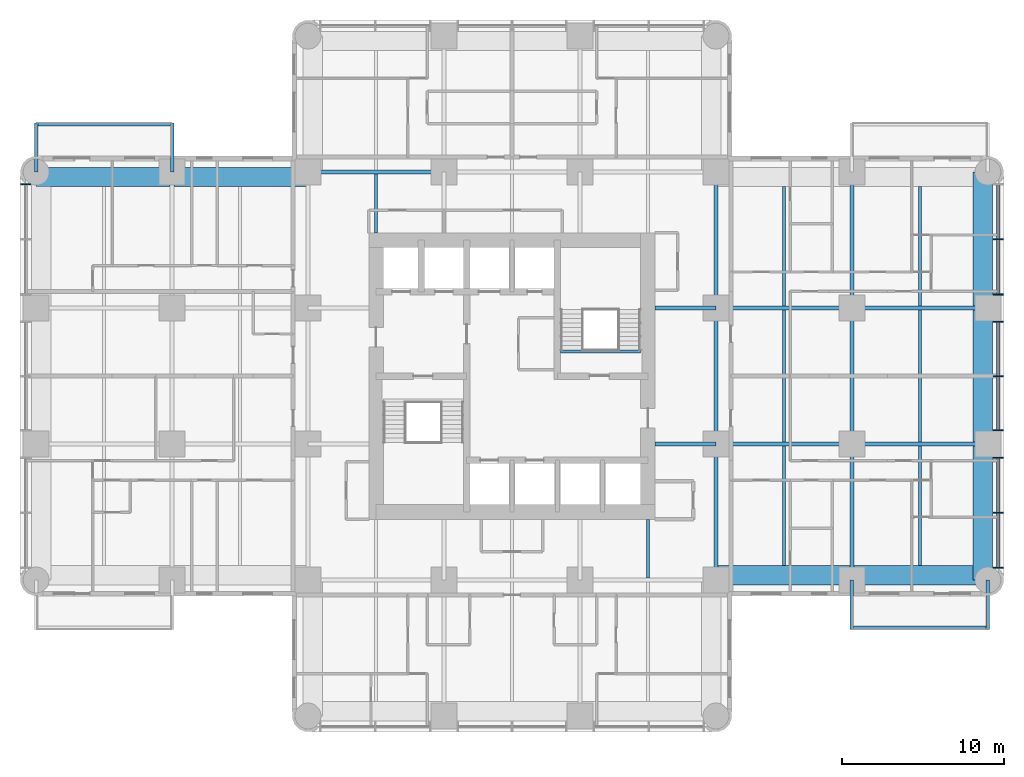
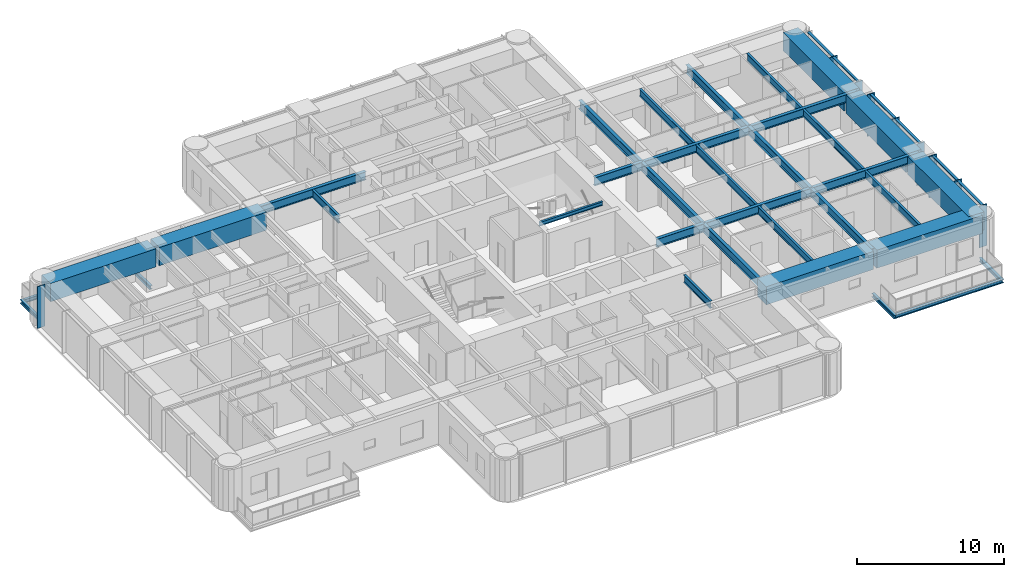
# One storey, part 3 of 15: 35 beams, 15 members, 2 elements without a shape of their own.
"""IFC4 building model written with IfcOpenShell, lengths in metres."""

from ifc_helpers import new_model, si_unit, direction, frame, origin, origin_2d, place, context, subcontext, project, spatial, rectangle, i_section, extrude, material, material_profile, profile_set, type_object, element, aggregate, save


model = new_model("IFC4")

# Units and contexts
model_context = context("Model", 3, precision=1e-05, world=origin(), true_north=direction((0.0, 1.0)))
body_context = subcontext(model_context, "Body", "Model", "MODEL_VIEW")
ifc_project = project(units=[si_unit("LENGTHUNIT", "METRE"), si_unit("AREAUNIT", "SQUARE_METRE"), si_unit("VOLUMEUNIT", "CUBIC_METRE"), si_unit("PLANEANGLEUNIT", "RADIAN"), si_unit("MASSUNIT", "GRAM", prefix="KILO")], contexts=[model_context])

# Site, building, storey
site_placement = place(None, origin())
site = spatial("IfcSite", under=ifc_project, at=site_placement, CompositionType="ELEMENT")
building_placement = place(site_placement, origin())
building = spatial("IfcBuilding", under=site, at=building_placement, Name="Torre Alcanfor", CompositionType="ELEMENT")
storey_placement = place(building_placement, frame((0.0, 0.0, 116.10009765625)))
storey = spatial("IfcBuildingStorey", under=building, at=storey_placement, Name="L29", CompositionType="ELEMENT", Elevation=116.10009765625)

# Beams
ifc_material_1 = material(Name="Steel ASTM A992 Grade 50", Category="steel")
ifc_material_profile_1 = material_profile(ifc_material_1, i_section(OverallWidth=0.205322265625, OverallDepth=0.309814453125, WebThickness=0.00927734375, FlangeThickness=0.016357421875, at=origin_2d()), Name="W12x50")
ifc_profile_set_1 = profile_set([ifc_material_profile_1], Name="Steel ASTM A992 Grade 50")
beam_type_1 = type_object("IfcBeamType", Name="Balcony cantilever beam W12x50", PredefinedType="BEAM", material=ifc_profile_set_1)
for number, where, z_axis, x_axis, name in (
    (1, (50.39990234375, 16.800048828125, -0.35498046875), (0.0, -1.0, 0.0), (1.0, 0.0, 0.0), "Balcony cantilever beam L29-E2 1"),
    (2, (58.800048828125, 16.800048828125, -0.35498046875), (0.0, -1.0, 0.0), (1.0, 0.0, 0.0), "Balcony cantilever beam L29-E2 2"),
    (3, (8.39990234375, 42.0, -0.35498046875), (0.0, 1.0, 0.0), (-1.0, 0.0, 0.0), "Balcony cantilever beam L29-W2 1"),
    (4, (0.0, 42.0, -0.35498046875), (0.0, 1.0, 0.0), (-1.0, 0.0, 0.0), "Balcony cantilever beam L29-W2 2"),
):
    element("IfcBeam", number, at=place(storey_placement, frame(where, z_axis=z_axis, x_axis=x_axis)), inside=storey, type_object=beam_type_1, Name=name, PredefinedType="BEAM", context=body_context, shape_type="SweptSolid", body=[
        extrude(i_section(OverallWidth=0.205322265625, OverallDepth=0.309814453125, WebThickness=0.00927734375, FlangeThickness=0.016357421875, at=origin_2d()), origin(), (0.0, 0.0, 1.0), 3.050048828125),
    ])
ifc_material_2 = material(Name="Steel ASTM A992 Grade 50", Category="steel")
ifc_material_profile_2 = material_profile(ifc_material_2, i_section(OverallWidth=0.203369140625, OverallDepth=0.30224609375, WebThickness=0.007568359375, FlangeThickness=0.01318359375, at=origin_2d()), Name="W12x40")
ifc_profile_set_2 = profile_set([ifc_material_profile_2], Name="Steel ASTM A992 Grade 50")
beam_type_2 = type_object("IfcBeamType", Name="Balcony edge trimmer W12x40", PredefinedType="BEAM", material=ifc_profile_set_2)
beam_1_placement = place(storey_placement, frame((50.39990234375, 13.851806640625, -0.351318359375), z_axis=(1.0, 0.0, 0.0), x_axis=(0.0, 1.0, 0.0)))
element("IfcBeam", 5, at=beam_1_placement, inside=storey, type_object=beam_type_2, Name="Balcony edge trimmer L29-E2", PredefinedType="BEAM", context=body_context, shape_type="SweptSolid", body=[
    extrude(i_section(OverallWidth=0.203369140625, OverallDepth=0.30224609375, WebThickness=0.007568359375, FlangeThickness=0.01318359375, at=origin_2d()), origin(), (0.0, 0.0, 1.0), 8.400146484375),
])
beam_2_placement = place(storey_placement, frame((8.39990234375, 44.9482421875, -0.351318359375), z_axis=(-1.0, 0.0, 0.0), x_axis=(0.0, -1.0, 0.0)))
element("IfcBeam", 6, at=beam_2_placement, inside=storey, type_object=beam_type_2, Name="Balcony edge trimmer L29-W2", PredefinedType="BEAM", context=body_context, shape_type="SweptSolid", body=[
    extrude(i_section(OverallWidth=0.203369140625, OverallDepth=0.30224609375, WebThickness=0.007568359375, FlangeThickness=0.01318359375, at=origin_2d()), origin(), (0.0, 0.0, 1.0), 8.39990234375),
])

# Curtain wall, member
ifc_material_3 = material(Name="Aluminium and glass", Category="aluminium")
curtain_wall_type = type_object("IfcCurtainWallType", Name="CW-A unitised apartment glazing with vertical FIN", PredefinedType="NOTDEFINED", material=ifc_material_3)
curtain_wall_1_placement = place(storey_placement, origin())
curtain_wall_1 = element("IfcCurtainWall", 7, at=curtain_wall_1_placement, inside=storey, type_object=curtain_wall_type, Name="Curtain wall CW-A L29 2", PredefinedType="NOTDEFINED")
ifc_material_4 = material(Name="Bronze anodised aluminium", Category="aluminium")
ifc_material_profile_3 = material_profile(ifc_material_4, rectangle(XDim=0.60009765625, YDim=0.06494140625, at=origin_2d()), Name="CW-A mullion 65x600")
ifc_profile_set_3 = profile_set([ifc_material_profile_3], Name="Bronze anodised aluminium")
member_type_1 = type_object("IfcMemberType", Name="CW-A mullion with vertical FIN 65x600", PredefinedType="MULLION", material=ifc_profile_set_3)
member_1_placement = place(storey_placement, frame((-0.64990234375, 41.24267578125, 0.0), z_axis=(0.0, 0.0, 1.0), x_axis=(1.0, 0.0, 0.0)))
member_1 = element("IfcMember", 8, at=member_1_placement, type_object=member_type_1, Name="CW-A mullion 1.1", PredefinedType="MULLION", context=body_context, shape_type="SweptSolid", body=[
    extrude(rectangle(XDim=0.60009765625, YDim=0.06494140625, at=origin_2d()), origin(), (0.0, 0.0, 1.0), 3.449951171875),
])
aggregate(curtain_wall_1, [member_1])

# Curtain wall, members
curtain_wall_2_placement = place(storey_placement, origin())
curtain_wall_2 = element("IfcCurtainWall", 9, at=curtain_wall_2_placement, inside=storey, type_object=curtain_wall_type, Name="Curtain wall CW-A L29 8", PredefinedType="NOTDEFINED")
member_2_placement = place(storey_placement, frame((59.449951171875, 17.557373046875, 0.0), z_axis=(0.0, 0.0, 1.0), x_axis=(-1.0, 0.0, 0.0)))
member_2 = element("IfcMember", 10, at=member_2_placement, type_object=member_type_1, Name="CW-A mullion 1.1", PredefinedType="MULLION", context=body_context, shape_type="SweptSolid", body=[
    extrude(rectangle(XDim=0.60009765625, YDim=0.06494140625, at=origin_2d()), origin(), (0.0, 0.0, 1.0), 3.449951171875),
])
member_3_placement = place(storey_placement, frame((59.449951171875, 20.9599609375, 0.0), z_axis=(0.0, 0.0, 1.0), x_axis=(-1.0, 0.0, 0.0)))
member_3 = element("IfcMember", 11, at=member_3_placement, type_object=member_type_1, Name="CW-A mullion 1.2", PredefinedType="MULLION", context=body_context, shape_type="SweptSolid", body=[
    extrude(rectangle(XDim=0.60009765625, YDim=0.06494140625, at=origin_2d()), origin(), (0.0, 0.0, 1.0), 3.449951171875),
])
member_4_placement = place(storey_placement, frame((59.449951171875, 24.362548828125, 0.0), z_axis=(0.0, 0.0, 1.0), x_axis=(-1.0, 0.0, 0.0)))
member_4 = element("IfcMember", 12, at=member_4_placement, type_object=member_type_1, Name="CW-A mullion 1.3", PredefinedType="MULLION", context=body_context, shape_type="SweptSolid", body=[
    extrude(rectangle(XDim=0.60009765625, YDim=0.06494140625, at=origin_2d()), origin(), (0.0, 0.0, 1.0), 3.449951171875),
])
member_5_placement = place(storey_placement, frame((59.449951171875, 26.03759765625, 0.0), z_axis=(0.0, 0.0, 1.0), x_axis=(-1.0, 0.0, 0.0)))
member_5 = element("IfcMember", 13, at=member_5_placement, type_object=member_type_1, Name="CW-A mullion 2.1", PredefinedType="MULLION", context=body_context, shape_type="SweptSolid", body=[
    extrude(rectangle(XDim=0.60009765625, YDim=0.06494140625, at=origin_2d()), origin(), (0.0, 0.0, 1.0), 3.449951171875),
])
member_6_placement = place(storey_placement, frame((59.449951171875, 29.39990234375, 0.0), z_axis=(0.0, 0.0, 1.0), x_axis=(-1.0, 0.0, 0.0)))
member_6 = element("IfcMember", 14, at=member_6_placement, type_object=member_type_1, Name="CW-A mullion 2.2", PredefinedType="MULLION", context=body_context, shape_type="SweptSolid", body=[
    extrude(rectangle(XDim=0.60009765625, YDim=0.06494140625, at=origin_2d()), origin(), (0.0, 0.0, 1.0), 3.449951171875),
])
member_7_placement = place(storey_placement, frame((59.449951171875, 32.762451171875, 0.0), z_axis=(0.0, 0.0, 1.0), x_axis=(-1.0, 0.0, 0.0)))
member_7 = element("IfcMember", 15, at=member_7_placement, type_object=member_type_1, Name="CW-A mullion 2.3", PredefinedType="MULLION", context=body_context, shape_type="SweptSolid", body=[
    extrude(rectangle(XDim=0.60009765625, YDim=0.06494140625, at=origin_2d()), origin(), (0.0, 0.0, 1.0), 3.449951171875),
])
member_8_placement = place(storey_placement, frame((59.449951171875, 34.4375, 0.0), z_axis=(0.0, 0.0, 1.0), x_axis=(-1.0, 0.0, 0.0)))
member_8 = element("IfcMember", 16, at=member_8_placement, type_object=member_type_1, Name="CW-A mullion 3.1", PredefinedType="MULLION", context=body_context, shape_type="SweptSolid", body=[
    extrude(rectangle(XDim=0.60009765625, YDim=0.06494140625, at=origin_2d()), origin(), (0.0, 0.0, 1.0), 3.449951171875),
])
member_9_placement = place(storey_placement, frame((59.449951171875, 37.840087890625, 0.0), z_axis=(0.0, 0.0, 1.0), x_axis=(-1.0, 0.0, 0.0)))
member_9 = element("IfcMember", 17, at=member_9_placement, type_object=member_type_1, Name="CW-A mullion 3.2", PredefinedType="MULLION", context=body_context, shape_type="SweptSolid", body=[
    extrude(rectangle(XDim=0.60009765625, YDim=0.06494140625, at=origin_2d()), origin(), (0.0, 0.0, 1.0), 3.449951171875),
])
ifc_material_5 = material(Name="Extruded aluminium", Category="aluminium")
ifc_material_profile_4 = material_profile(ifc_material_5, rectangle(XDim=0.199951171875, YDim=0.06494140625, at=origin_2d()), Name="CW-A transom 200x65")
ifc_profile_set_4 = profile_set([ifc_material_profile_4], Name="Extruded aluminium")
member_type_2 = type_object("IfcMemberType", Name="CW-A transom 65x200", PredefinedType="USERDEFINED", material=ifc_profile_set_4)
member_10_placement = place(storey_placement, frame((59.449951171875, 17.58984375, 3.41748046875), z_axis=(0.0, 1.0, 0.0), x_axis=(-1.0, 0.0, 0.0)))
member_10 = element("IfcMember", 18, at=member_10_placement, type_object=member_type_2, Name="CW-A transom 1.1.2", ObjectType="TRANSOM", PredefinedType="USERDEFINED", context=body_context, shape_type="SweptSolid", body=[
    extrude(rectangle(XDim=0.199951171875, YDim=0.06494140625, at=origin_2d()), origin(), (0.0, 0.0, 1.0), 3.337646484375),
])
member_11_placement = place(storey_placement, frame((59.449951171875, 20.992431640625, 3.41748046875), z_axis=(0.0, 1.0, 0.0), x_axis=(-1.0, 0.0, 0.0)))
member_11 = element("IfcMember", 19, at=member_11_placement, type_object=member_type_2, Name="CW-A transom 1.2.2", ObjectType="TRANSOM", PredefinedType="USERDEFINED", context=body_context, shape_type="SweptSolid", body=[
    extrude(rectangle(XDim=0.199951171875, YDim=0.06494140625, at=origin_2d()), origin(), (0.0, 0.0, 1.0), 3.337646484375),
])
member_12_placement = place(storey_placement, frame((59.449951171875, 26.070068359375, 3.41748046875), z_axis=(0.0, 1.0, 0.0), x_axis=(-1.0, 0.0, 0.0)))
member_12 = element("IfcMember", 20, at=member_12_placement, type_object=member_type_2, Name="CW-A transom 2.1.2", ObjectType="TRANSOM", PredefinedType="USERDEFINED", context=body_context, shape_type="SweptSolid", body=[
    extrude(rectangle(XDim=0.199951171875, YDim=0.06494140625, at=origin_2d()), origin(), (0.0, 0.0, 1.0), 3.29736328125),
])
member_13_placement = place(storey_placement, frame((59.449951171875, 29.4326171875, 3.41748046875), z_axis=(0.0, 1.0, 0.0), x_axis=(-1.0, 0.0, 0.0)))
member_13 = element("IfcMember", 21, at=member_13_placement, type_object=member_type_2, Name="CW-A transom 2.2.2", ObjectType="TRANSOM", PredefinedType="USERDEFINED", context=body_context, shape_type="SweptSolid", body=[
    extrude(rectangle(XDim=0.199951171875, YDim=0.06494140625, at=origin_2d()), origin(), (0.0, 0.0, 1.0), 3.29736328125),
])
member_14_placement = place(storey_placement, frame((59.449951171875, 34.469970703125, 3.41748046875), z_axis=(0.0, 1.0, 0.0), x_axis=(-1.0, 0.0, 0.0)))
member_14 = element("IfcMember", 22, at=member_14_placement, type_object=member_type_2, Name="CW-A transom 3.1.2", ObjectType="TRANSOM", PredefinedType="USERDEFINED", context=body_context, shape_type="SweptSolid", body=[
    extrude(rectangle(XDim=0.199951171875, YDim=0.06494140625, at=origin_2d()), origin(), (0.0, 0.0, 1.0), 3.337646484375),
])
member_15_placement = place(storey_placement, frame((59.449951171875, 37.87255859375, 3.41748046875), z_axis=(0.0, 1.0, 0.0), x_axis=(-1.0, 0.0, 0.0)))
member_15 = element("IfcMember", 23, at=member_15_placement, type_object=member_type_2, Name="CW-A transom 3.2.2", ObjectType="TRANSOM", PredefinedType="USERDEFINED", context=body_context, shape_type="SweptSolid", body=[
    extrude(rectangle(XDim=0.199951171875, YDim=0.06494140625, at=origin_2d()), origin(), (0.0, 0.0, 1.0), 3.337646484375),
])
aggregate(curtain_wall_2, [member_2, member_3, member_4, member_10, member_11, member_5, member_6, member_7, member_12, member_13, member_8, member_9, member_14, member_15])

# Beams
ifc_material_6 = material(Name="Steel ASTM A992 Grade 50", Category="steel")
ifc_material_profile_5 = material_profile(ifc_material_6, i_section(OverallWidth=0.25390625, OverallDepth=0.683349609375, WebThickness=0.012451171875, FlangeThickness=0.01904296875, at=origin_2d()), Name="W27x94")
ifc_profile_set_5 = profile_set([ifc_material_profile_5], Name="Steel ASTM A992 Grade 50")
beam_type_3 = type_object("IfcBeamType", Name="Girder W27x94", PredefinedType="BEAM", material=ifc_profile_set_5)
beam_3_placement = place(storey_placement, frame((42.0, 25.199951171875, 3.108154296875), z_axis=(1.0, 0.0, 0.0), x_axis=(0.0, 1.0, 0.0)))
element("IfcBeam", 24, at=beam_3_placement, inside=storey, type_object=beam_type_3, Name="Beam 6F-7F under L30", PredefinedType="BEAM", context=body_context, shape_type="SweptSolid", body=[
    extrude(i_section(OverallWidth=0.25390625, OverallDepth=0.683349609375, WebThickness=0.012451171875, FlangeThickness=0.01904296875, at=origin_2d()), origin(), (0.0, 0.0, 1.0), 8.39990234375),
])
beam_4_placement = place(storey_placement, frame((50.39990234375, 25.199951171875, 3.108154296875), z_axis=(1.0, 0.0, 0.0), x_axis=(0.0, 1.0, 0.0)))
element("IfcBeam", 25, at=beam_4_placement, inside=storey, type_object=beam_type_3, Name="Beam 7F-8F under L30", PredefinedType="BEAM", context=body_context, shape_type="SweptSolid", body=[
    extrude(i_section(OverallWidth=0.25390625, OverallDepth=0.683349609375, WebThickness=0.012451171875, FlangeThickness=0.01904296875, at=origin_2d()), origin(), (0.0, 0.0, 1.0), 8.400146484375),
])
beam_5_placement = place(storey_placement, frame((42.0, 33.60009765625, 3.108154296875), z_axis=(1.0, 0.0, 0.0), x_axis=(0.0, 1.0, 0.0)))
element("IfcBeam", 26, at=beam_5_placement, inside=storey, type_object=beam_type_3, Name="Beam 6G-7G under L30", PredefinedType="BEAM", context=body_context, shape_type="SweptSolid", body=[
    extrude(i_section(OverallWidth=0.25390625, OverallDepth=0.683349609375, WebThickness=0.012451171875, FlangeThickness=0.01904296875, at=origin_2d()), origin(), (0.0, 0.0, 1.0), 8.39990234375),
])
beam_6_placement = place(storey_placement, frame((50.39990234375, 33.60009765625, 3.108154296875), z_axis=(1.0, 0.0, 0.0), x_axis=(0.0, 1.0, 0.0)))
element("IfcBeam", 27, at=beam_6_placement, inside=storey, type_object=beam_type_3, Name="Beam 7G-8G under L30", PredefinedType="BEAM", context=body_context, shape_type="SweptSolid", body=[
    extrude(i_section(OverallWidth=0.25390625, OverallDepth=0.683349609375, WebThickness=0.012451171875, FlangeThickness=0.01904296875, at=origin_2d()), origin(), (0.0, 0.0, 1.0), 8.400146484375),
])
for number, where, z_axis, x_axis, name in (
    (28, (16.800048828125, 42.0, 3.108154296875), (1.0, 0.0, 0.0), (0.0, 1.0, 0.0), "Beam 3H-4H under L30"),
    (29, (42.0, 16.800048828125, 3.108154296875), (0.0, 1.0, 0.0), (-1.0, 0.0, 0.0), "Beam 6E-6F under L30"),
):
    element("IfcBeam", number, at=place(storey_placement, frame(where, z_axis=z_axis, x_axis=x_axis)), inside=storey, type_object=beam_type_3, Name=name, PredefinedType="BEAM", context=body_context, shape_type="SweptSolid", body=[
        extrude(i_section(OverallWidth=0.25390625, OverallDepth=0.683349609375, WebThickness=0.012451171875, FlangeThickness=0.01904296875, at=origin_2d()), origin(), (0.0, 0.0, 1.0), 8.39990234375),
    ])
beam_7_placement = place(storey_placement, frame((42.0, 25.199951171875, 3.108154296875), z_axis=(0.0, 1.0, 0.0), x_axis=(-1.0, 0.0, 0.0)))
element("IfcBeam", 30, at=beam_7_placement, inside=storey, type_object=beam_type_3, Name="Beam 6F-6G under L30", PredefinedType="BEAM", context=body_context, shape_type="SweptSolid", body=[
    extrude(i_section(OverallWidth=0.25390625, OverallDepth=0.683349609375, WebThickness=0.012451171875, FlangeThickness=0.01904296875, at=origin_2d()), origin(), (0.0, 0.0, 1.0), 8.400146484375),
])
for number, where, z_axis, x_axis, name in (
    (31, (42.0, 33.60009765625, 3.108154296875), (0.0, 1.0, 0.0), (-1.0, 0.0, 0.0), "Beam 6G-6H under L30"),
    (32, (50.39990234375, 16.800048828125, 3.108154296875), (0.0, 1.0, 0.0), (-1.0, 0.0, 0.0), "Beam 7E-7F under L30"),
):
    element("IfcBeam", number, at=place(storey_placement, frame(where, z_axis=z_axis, x_axis=x_axis)), inside=storey, type_object=beam_type_3, Name=name, PredefinedType="BEAM", context=body_context, shape_type="SweptSolid", body=[
        extrude(i_section(OverallWidth=0.25390625, OverallDepth=0.683349609375, WebThickness=0.012451171875, FlangeThickness=0.01904296875, at=origin_2d()), origin(), (0.0, 0.0, 1.0), 8.39990234375),
    ])
beam_8_placement = place(storey_placement, frame((50.39990234375, 25.199951171875, 3.108154296875), z_axis=(0.0, 1.0, 0.0), x_axis=(-1.0, 0.0, 0.0)))
element("IfcBeam", 33, at=beam_8_placement, inside=storey, type_object=beam_type_3, Name="Beam 7F-7G under L30", PredefinedType="BEAM", context=body_context, shape_type="SweptSolid", body=[
    extrude(i_section(OverallWidth=0.25390625, OverallDepth=0.683349609375, WebThickness=0.012451171875, FlangeThickness=0.01904296875, at=origin_2d()), origin(), (0.0, 0.0, 1.0), 8.400146484375),
])
beam_9_placement = place(storey_placement, frame((50.39990234375, 33.60009765625, 3.108154296875), z_axis=(0.0, 1.0, 0.0), x_axis=(-1.0, 0.0, 0.0)))
element("IfcBeam", 34, at=beam_9_placement, inside=storey, type_object=beam_type_3, Name="Beam 7G-7H under L30", PredefinedType="BEAM", context=body_context, shape_type="SweptSolid", body=[
    extrude(i_section(OverallWidth=0.25390625, OverallDepth=0.683349609375, WebThickness=0.012451171875, FlangeThickness=0.01904296875, at=origin_2d()), origin(), (0.0, 0.0, 1.0), 8.39990234375),
])
ifc_material_7 = material(Name="Steel ASTM A992 Grade 50", Category="steel")
ifc_material_profile_6 = material_profile(ifc_material_7, i_section(OverallWidth=0.25390625, OverallDepth=0.683349609375, WebThickness=0.012451171875, FlangeThickness=0.01904296875, at=origin_2d()), Name="W27x94")
ifc_profile_set_6 = profile_set([ifc_material_profile_6], Name="Steel ASTM A992 Grade 50")
beam_type_4 = type_object("IfcBeamType", Name="Girder, part bay W27x94", PredefinedType="BEAM", material=ifc_profile_set_6)
for number, where, z_axis, x_axis, name in (
    (35, (42.0, 25.199951171875, 3.108154296875), (-1.0, 0.0, 0.0), (0.0, -1.0, 0.0), "Beam 6F-38_25F under L30"),
    (36, (42.0, 33.60009765625, 3.108154296875), (-1.0, 0.0, 0.0), (0.0, -1.0, 0.0), "Beam 6G-38_25G under L30"),
):
    element("IfcBeam", number, at=place(storey_placement, frame(where, z_axis=z_axis, x_axis=x_axis)), inside=storey, type_object=beam_type_4, Name=name, PredefinedType="BEAM", context=body_context, shape_type="SweptSolid", body=[
        extrude(i_section(OverallWidth=0.25390625, OverallDepth=0.683349609375, WebThickness=0.012451171875, FlangeThickness=0.01904296875, at=origin_2d()), origin(), (0.0, 0.0, 1.0), 3.75),
    ])
ifc_material_8 = material(Name="Concrete f'c 70 MPa", Category="concrete")
ifc_material_profile_7 = material_profile(ifc_material_8, rectangle(XDim=1.199951171875, YDim=1.5, at=origin_2d()), Name="1200x1500")
ifc_profile_set_7 = profile_set([ifc_material_profile_7], Name="Concrete f'c 70 MPa")
beam_type_5 = type_object("IfcBeamType", Name="RC perimeter beam 1200x1500", PredefinedType="BEAM", material=ifc_profile_set_7)
beam_10_placement = place(storey_placement, frame((41.873046875, 17.10009765625, 2.699951171875), z_axis=(1.0, 0.0, 0.0), x_axis=(0.0, 1.0, 0.0)))
element("IfcBeam", 37, at=beam_10_placement, inside=storey, type_object=beam_type_5, Name="Beam 6E-7E under L30", PredefinedType="BEAM", context=body_context, shape_type="SweptSolid", body=[
    extrude(rectangle(XDim=1.199951171875, YDim=1.5, at=origin_2d()), origin(), (0.0, 0.0, 1.0), 8.39990234375),
])
for number, where, z_axis, x_axis, name in (
    (38, (50.527099609375, 17.10009765625, 2.699951171875), (1.0, 0.0, 0.0), (0.0, 1.0, 0.0), "Beam 7E-8E under L30"),
    (39, (0.0, 41.699951171875, 2.699951171875), (1.0, 0.0, 0.0), (0.0, 1.0, 0.0), "Beam 1H-2H under L30"),
):
    element("IfcBeam", number, at=place(storey_placement, frame(where, z_axis=z_axis, x_axis=x_axis)), inside=storey, type_object=beam_type_5, Name=name, PredefinedType="BEAM", context=body_context, shape_type="SweptSolid", body=[
        extrude(rectangle(XDim=1.199951171875, YDim=1.5, at=origin_2d()), origin(), (0.0, 0.0, 1.0), 8.27294921875),
    ])
beam_11_placement = place(storey_placement, frame((8.527099609375, 41.699951171875, 2.699951171875), z_axis=(1.0, 0.0, 0.0), x_axis=(0.0, 1.0, 0.0)))
element("IfcBeam", 40, at=beam_11_placement, inside=storey, type_object=beam_type_5, Name="Beam 2H-3H under L30", PredefinedType="BEAM", context=body_context, shape_type="SweptSolid", body=[
    extrude(rectangle(XDim=1.199951171875, YDim=1.5, at=origin_2d()), origin(), (0.0, 0.0, 1.0), 8.39990234375),
])
beam_12_placement = place(storey_placement, frame((58.5, 16.800048828125, 2.699951171875), z_axis=(0.0, 1.0, 0.0), x_axis=(-1.0, 0.0, 0.0)))
element("IfcBeam", 41, at=beam_12_placement, inside=storey, type_object=beam_type_5, Name="Beam 8E-8F under L30", PredefinedType="BEAM", context=body_context, shape_type="SweptSolid", body=[
    extrude(rectangle(XDim=1.199951171875, YDim=1.5, at=origin_2d()), origin(), (0.0, 0.0, 1.0), 8.27294921875),
])
beam_13_placement = place(storey_placement, frame((58.5, 25.326904296875, 2.699951171875), z_axis=(0.0, 1.0, 0.0), x_axis=(-1.0, 0.0, 0.0)))
element("IfcBeam", 42, at=beam_13_placement, inside=storey, type_object=beam_type_5, Name="Beam 8F-8G under L30", PredefinedType="BEAM", context=body_context, shape_type="SweptSolid", body=[
    extrude(rectangle(XDim=1.199951171875, YDim=1.5, at=origin_2d()), origin(), (0.0, 0.0, 1.0), 8.14599609375),
])
beam_14_placement = place(storey_placement, frame((58.5, 33.72705078125, 2.699951171875), z_axis=(0.0, 1.0, 0.0), x_axis=(-1.0, 0.0, 0.0)))
element("IfcBeam", 43, at=beam_14_placement, inside=storey, type_object=beam_type_5, Name="Beam 8G-8H under L30", PredefinedType="BEAM", context=body_context, shape_type="SweptSolid", body=[
    extrude(rectangle(XDim=1.199951171875, YDim=1.5, at=origin_2d()), origin(), (0.0, 0.0, 1.0), 8.27294921875),
])
ifc_material_9 = material(Name="Steel ASTM A992 Grade 50", Category="steel")
ifc_material_profile_8 = material_profile(ifc_material_9, i_section(OverallWidth=0.1787109375, OverallDepth=0.60205078125, WebThickness=0.010986328125, FlangeThickness=0.014892578125, at=origin_2d()), Name="W24x62")
ifc_profile_set_8 = profile_set([ifc_material_profile_8], Name="Steel ASTM A992 Grade 50")
beam_type_6 = type_object("IfcBeamType", Name="Secondary beam W24x62", PredefinedType="BEAM", material=ifc_profile_set_8)
beam_15_placement = place(storey_placement, frame((46.199951171875, 17.699951171875, 3.14892578125), z_axis=(0.0, 1.0, 0.0), x_axis=(-1.0, 0.0, 0.0)))
element("IfcBeam", 44, at=beam_15_placement, inside=storey, type_object=beam_type_6, Name="Beam 46_2E-46_2F under L30", PredefinedType="BEAM", context=body_context, shape_type="SweptSolid", body=[
    extrude(i_section(OverallWidth=0.1787109375, OverallDepth=0.60205078125, WebThickness=0.010986328125, FlangeThickness=0.014892578125, at=origin_2d()), origin(), (0.0, 0.0, 1.0), 7.373046875),
])
beam_16_placement = place(storey_placement, frame((46.199951171875, 25.326904296875, 3.14892578125), z_axis=(0.0, 1.0, 0.0), x_axis=(-1.0, 0.0, 0.0)))
element("IfcBeam", 45, at=beam_16_placement, inside=storey, type_object=beam_type_6, Name="Beam 46_2F-46_2G under L30", PredefinedType="BEAM", context=body_context, shape_type="SweptSolid", body=[
    extrude(i_section(OverallWidth=0.1787109375, OverallDepth=0.60205078125, WebThickness=0.010986328125, FlangeThickness=0.014892578125, at=origin_2d()), origin(), (0.0, 0.0, 1.0), 8.14599609375),
])
for number, where, z_axis, x_axis, name in (
    (46, (46.199951171875, 33.72705078125, 3.14892578125), (0.0, 1.0, 0.0), (-1.0, 0.0, 0.0), "Beam 46_2G-46_2H under L30"),
    (47, (54.60009765625, 17.699951171875, 3.14892578125), (0.0, 1.0, 0.0), (-1.0, 0.0, 0.0), "Beam 54_6E-54_6F under L30"),
):
    element("IfcBeam", number, at=place(storey_placement, frame(where, z_axis=z_axis, x_axis=x_axis)), inside=storey, type_object=beam_type_6, Name=name, PredefinedType="BEAM", context=body_context, shape_type="SweptSolid", body=[
        extrude(i_section(OverallWidth=0.1787109375, OverallDepth=0.60205078125, WebThickness=0.010986328125, FlangeThickness=0.014892578125, at=origin_2d()), origin(), (0.0, 0.0, 1.0), 7.373046875),
    ])
beam_17_placement = place(storey_placement, frame((54.60009765625, 25.326904296875, 3.14892578125), z_axis=(0.0, 1.0, 0.0), x_axis=(-1.0, 0.0, 0.0)))
element("IfcBeam", 48, at=beam_17_placement, inside=storey, type_object=beam_type_6, Name="Beam 54_6F-54_6G under L30", PredefinedType="BEAM", context=body_context, shape_type="SweptSolid", body=[
    extrude(i_section(OverallWidth=0.1787109375, OverallDepth=0.60205078125, WebThickness=0.010986328125, FlangeThickness=0.014892578125, at=origin_2d()), origin(), (0.0, 0.0, 1.0), 8.14599609375),
])
beam_18_placement = place(storey_placement, frame((54.60009765625, 33.72705078125, 3.14892578125), z_axis=(0.0, 1.0, 0.0), x_axis=(-1.0, 0.0, 0.0)))
element("IfcBeam", 49, at=beam_18_placement, inside=storey, type_object=beam_type_6, Name="Beam 54_6G-54_6H under L30", PredefinedType="BEAM", context=body_context, shape_type="SweptSolid", body=[
    extrude(i_section(OverallWidth=0.1787109375, OverallDepth=0.60205078125, WebThickness=0.010986328125, FlangeThickness=0.014892578125, at=origin_2d()), origin(), (0.0, 0.0, 1.0), 7.373046875),
])
ifc_material_10 = material(Name="Steel ASTM A992 Grade 50", Category="steel")
ifc_material_profile_9 = material_profile(ifc_material_10, i_section(OverallWidth=0.1787109375, OverallDepth=0.60205078125, WebThickness=0.010986328125, FlangeThickness=0.014892578125, at=origin_2d()), Name="W24x62")
ifc_profile_set_9 = profile_set([ifc_material_profile_9], Name="Steel ASTM A992 Grade 50")
beam_type_7 = type_object("IfcBeamType", Name="Secondary beam, part bay W24x62", PredefinedType="BEAM", material=ifc_profile_set_9)
for number, where, z_axis, x_axis, name in (
    (50, (21.0, 38.25, 3.14892578125), (0.0, 1.0, 0.0), (-1.0, 0.0, 0.0), "Beam 2138_25-21H under L30"),
    (51, (37.800048828125, 16.927001953125, 3.14892578125), (0.0, 1.0, 0.0), (-1.0, 0.0, 0.0), "Beam 37_8E-37_820_55 under L30"),
):
    element("IfcBeam", number, at=place(storey_placement, frame(where, z_axis=z_axis, x_axis=x_axis)), inside=storey, type_object=beam_type_7, Name=name, PredefinedType="BEAM", context=body_context, shape_type="SweptSolid", body=[
        extrude(i_section(OverallWidth=0.1787109375, OverallDepth=0.60205078125, WebThickness=0.010986328125, FlangeThickness=0.014892578125, at=origin_2d()), origin(), (0.0, 0.0, 1.0), 3.623046875),
    ])
ifc_material_11 = material(Name="Steel ASTM A992 Grade 50", Category="steel")
ifc_material_profile_10 = material_profile(ifc_material_11, i_section(OverallWidth=0.164794921875, OverallDepth=0.309814453125, WebThickness=0.005859375, FlangeThickness=0.009765625, at=origin_2d()), Name="W12x26")
ifc_profile_set_10 = profile_set([ifc_material_profile_10], Name="Steel ASTM A992 Grade 50")
beam_type_8 = type_object("IfcBeamType", Name="Stair landing beam W12x26", PredefinedType="BEAM", material=ifc_profile_set_10)
beam_19_placement = place(storey_placement, frame((32.39990234375, 30.91259765625, 3.244873046875), z_axis=(1.0, 0.0, 0.0), x_axis=(0.0, 1.0, 0.0)))
element("IfcBeam", 52, at=beam_19_placement, inside=storey, type_object=beam_type_8, Name="Landing trimmer S2 L30", PredefinedType="BEAM", context=body_context, shape_type="SweptSolid", body=[
    extrude(i_section(OverallWidth=0.164794921875, OverallDepth=0.309814453125, WebThickness=0.005859375, FlangeThickness=0.009765625, at=origin_2d()), origin(), (0.0, 0.0, 1.0), 4.9501953125),
])

save(model, "model.ifc")
